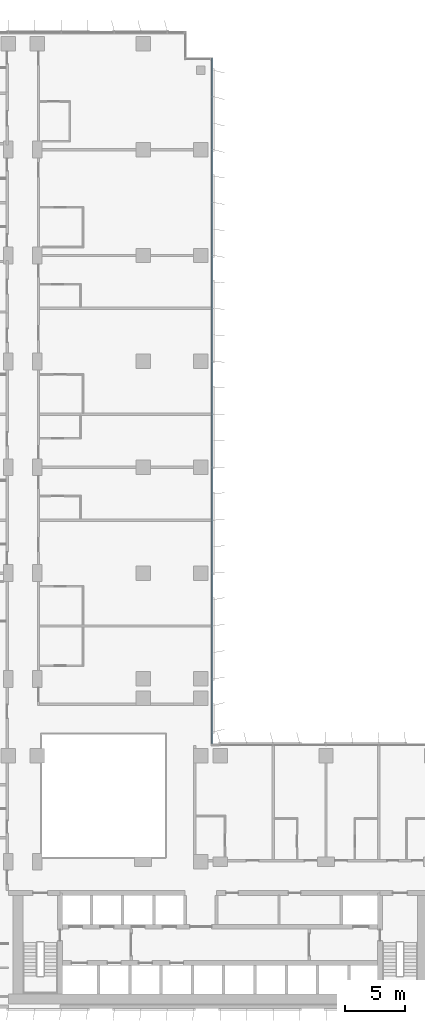
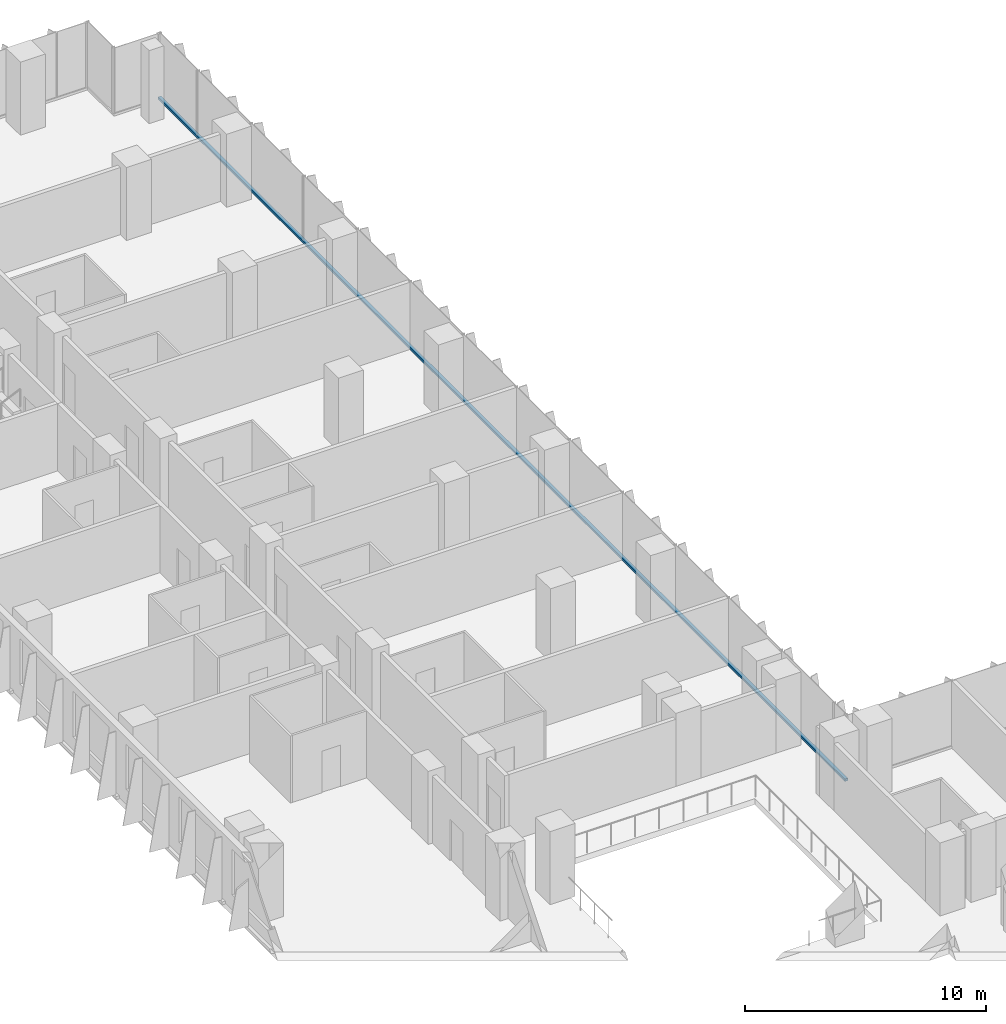
# One storey, part 6 of 22: 1 member, 1 element without a shape of its own.
"""IFC4 building model written with IfcOpenShell, lengths in metres."""

import ifcopenshell
import ifcopenshell.guid

model = None  # the IFC model being written
_history = None  # IfcOwnerHistory: only IFC2X3 demands one
_inside = {}  # id of a spatial element -> (the spatial element, [elements in it])
_under = {}  # id of a project, library or spatial element -> (it, [spatial elements below it])
_declared = {}  # id of a project -> (the project, [libraries it declares])
_typed = {}  # id of a type object -> (the type object, [elements of that type])
_made_of = {}  # id of a material, layer set ... -> (it, [elements and type objects made of it])


def new_model(schema):
    """Start an empty IFC model of exactly this schema.

    Asked for "IFC4X3", IfcOpenShell would pick the latest addendum, in which some entities
    have other attributes; the version numbers below select the first issue.
    IFC2X3 requires an IfcOwnerHistory on every rooted entity: one is made here for all.
    """
    global model, _history
    if schema == "IFC4X3":
        model = ifcopenshell.file(schema_version=(4, 3, 0, 0))
    else:
        model = ifcopenshell.file(schema=schema)
    _inside.clear()
    _under.clear()
    _declared.clear()
    _typed.clear()
    _made_of.clear()
    _history = None
    if model.schema == "IFC2X3":
        org = make("IfcOrganization", Name="unknown")
        user = make(
            "IfcPersonAndOrganization",
            ThePerson=make("IfcPerson", FamilyName="unknown"),
            TheOrganization=org,
        )
        app = make(
            "IfcApplication",
            ApplicationDeveloper=org,
            Version="unknown",
            ApplicationFullName="unknown",
            ApplicationIdentifier="unknown",
        )
        _history = make(
            "IfcOwnerHistory",
            OwningUser=user,
            OwningApplication=app,
            ChangeAction="ADDED",
            CreationDate=0,
        )
    return model


def make(cls, **values):
    """One entity of the class cls with the attributes given. An attribute that is None is left unset."""
    return model.create_entity(
        cls, **{name: value for name, value in values.items() if value is not None}
    )


def rooted(cls, **values):
    """An entity with a GlobalId (a new one), such as an element, a storey or a relation."""
    return make(cls, GlobalId=ifcopenshell.guid.new(), OwnerHistory=_history, **values)


def si_unit(unit_type, name, prefix=None):
    """IfcSIUnit, for example si_unit("LENGTHUNIT", "METRE", prefix="MILLI")."""
    return make("IfcSIUnit", UnitType=unit_type, Prefix=prefix, Name=name)


def assignment(units):
    """IfcUnitAssignment: the units of a project."""
    return None if units is None else make("IfcUnitAssignment", Units=units)


def point(xyz):
    """IfcCartesianPoint."""
    return None if xyz is None else make("IfcCartesianPoint", Coordinates=xyz)


def direction(xyz):
    """IfcDirection."""
    return None if xyz is None else make("IfcDirection", DirectionRatios=xyz)


def frame(location, z_axis=None, x_axis=None):
    """IfcAxis2Placement3D, a coordinate frame: its origin and axes. An axis left out is left unset."""
    return make(
        "IfcAxis2Placement3D",
        Location=point(location),
        Axis=direction(z_axis),
        RefDirection=direction(x_axis),
    )


def frame_2d(location, x_axis=None):
    """IfcAxis2Placement2D, a coordinate frame in the plane: its origin and x axis."""
    return make(
        "IfcAxis2Placement2D", Location=point(location), RefDirection=direction(x_axis)
    )


def origin():
    """The frame at (0, 0, 0) with its axes left unset."""
    return frame((0.0, 0.0, 0.0))


def origin_2d():
    """The frame at (0, 0) in the plane with its x axis left unset."""
    return frame_2d((0.0, 0.0))


def place(relative_to, where):
    """IfcLocalPlacement: puts the frame where relative to a parent placement (None: the world)."""
    return make(
        "IfcLocalPlacement", PlacementRelTo=relative_to, RelativePlacement=where
    )


def context(
    kind, dimensions, precision=None, world=None, true_north=None, identifier=None
):
    """IfcGeometricRepresentationContext, for example the 3D "Model" context."""
    return make(
        "IfcGeometricRepresentationContext",
        ContextIdentifier=identifier,
        ContextType=kind,
        CoordinateSpaceDimension=dimensions,
        Precision=precision,
        WorldCoordinateSystem=world,
        TrueNorth=true_north,
    )


def subcontext(parent, identifier, kind, view, scale=None):
    """IfcGeometricRepresentationSubContext, for example "Body" below "Model"."""
    return make(
        "IfcGeometricRepresentationSubContext",
        ContextIdentifier=identifier,
        ContextType=kind,
        ParentContext=parent,
        TargetScale=scale,
        TargetView=view,
    )


def project(units=None, contexts=None):
    """IfcProject with its units and contexts."""
    return rooted(
        "IfcProject",
        Name="project",
        RepresentationContexts=contexts,
        UnitsInContext=assignment(units),
    )


def spatial(cls, under=None, at=None, **own):
    """A site, building, storey or space (cls), placed at a placement, below another one or the project."""
    s = rooted(cls, ObjectPlacement=at, **own)
    if under is not None:
        _under.setdefault(under.id(), (under, []))[1].append(s)
    return s


def profile(cls, at=None, kind="AREA", **sizes):
    """A parametric profile (cls). Its sizes go by their IFC names, for example OverallWidth=200.0."""
    return make(cls, ProfileType=kind, Position=at, **sizes)


def rectangle(**sizes):
    """IfcRectangleProfileDef."""
    return profile("IfcRectangleProfileDef", **sizes)


def extrude(swept, where, along, depth):
    """IfcExtrudedAreaSolid: the profile swept, set in the frame where, extruded along a direction by depth."""
    return make(
        "IfcExtrudedAreaSolid",
        SweptArea=swept,
        Position=where,
        ExtrudedDirection=direction(along),
        Depth=depth,
    )


def shape(context_of_items, identifier, shape_type, items):
    """IfcShapeRepresentation: the items that make up one representation, for example the "Body"."""
    return make(
        "IfcShapeRepresentation",
        ContextOfItems=context_of_items,
        RepresentationIdentifier=identifier,
        RepresentationType=shape_type,
        Items=items,
    )


def material(Name=None, Category=None):
    """IfcMaterial."""
    return make("IfcMaterial", Name=Name, Category=Category)


def material_profile(
    of_material, cross_section, Name=None, Category=None, Priority=None
):
    """IfcMaterialProfile: a cross section and its material."""
    return make(
        "IfcMaterialProfile",
        Name=Name,
        Material=of_material,
        Profile=cross_section,
        Priority=Priority,
        Category=Category,
    )


def profile_set(profiles, Name=None, composite=None):
    """IfcMaterialProfileSet."""
    return make(
        "IfcMaterialProfileSet",
        Name=Name,
        MaterialProfiles=profiles,
        CompositeProfile=composite,
    )


def made_of(thing, what):
    """Note that an element or type object is made of a material, layer set ...; save() writes the relation."""
    if what is not None:
        _made_of.setdefault(what.id(), (what, []))[1].append(thing)
    return thing


def type_object(cls, material=None, **own):
    """A type object (cls), such as IfcWallType, which elements share."""
    return made_of(rooted(cls, **own), material)


def element(
    cls,
    number,
    at=None,
    inside=None,
    cuts=None,
    type_object=None,
    material=None,
    context=None,
    identifier="Body",
    shape_type=None,
    held_by="IfcProductDefinitionShape",
    body=None,
    shapes=None,
    **own,
):
    """One element of the class cls, such as IfcWall. Its Tag is "e" and its number.

    at: its placement. inside: the storey or other place that contains it. cuts: it is an
    opening in that element (IfcRelVoidsElement). A single representation is given by context,
    identifier, shape_type and body (its items); several are given by shapes. held_by: the class
    of the entity that holds the representations. save() writes the other relations.
    """
    e = rooted(cls, Tag="e%d" % number, ObjectPlacement=at, **own)
    if body is not None:
        shapes = [shape(context, identifier, shape_type, body)]
    if shapes is not None:
        e.Representation = make(held_by, Representations=shapes)
    if inside is not None:
        _inside.setdefault(inside.id(), (inside, []))[1].append(e)
    if cuts is not None:
        rooted(
            "IfcRelVoidsElement", RelatingBuildingElement=cuts, RelatedOpeningElement=e
        )
    if type_object is not None:
        _typed.setdefault(type_object.id(), (type_object, []))[1].append(e)
    return made_of(e, material)


def aggregate(whole, parts):
    """IfcRelAggregates: a whole, such as a stair, and the parts it consists of."""
    return rooted("IfcRelAggregates", RelatingObject=whole, RelatedObjects=parts)


def save(model, path):
    """Write the relations noted so far, then the file.

    IfcRelAggregates (storeys below a building ...), IfcRelContainedInSpatialStructure (elements
    in a storey), IfcRelDefinesByType, IfcRelAssociatesMaterial and IfcRelDeclares: one each for
    every whole, place, type object, material and project.
    """
    for whole, parts in _under.values():
        aggregate(whole, parts)
    for where, things in _inside.values():
        rooted(
            "IfcRelContainedInSpatialStructure",
            RelatedElements=things,
            RelatingStructure=where,
        )
    for kind, things in _typed.values():
        rooted("IfcRelDefinesByType", RelatedObjects=things, RelatingType=kind)
    for what, things in _made_of.values():
        rooted("IfcRelAssociatesMaterial", RelatedObjects=things, RelatingMaterial=what)
    for by, libraries in _declared.values():
        rooted("IfcRelDeclares", RelatingContext=by, RelatedDefinitions=libraries)
    model.write(path)


model = new_model("IFC4")

# Units and contexts
model_context = context("Model", 3, precision=1e-05, world=origin(), true_north=direction((0.0, 1.0)))
body_context = subcontext(model_context, "Body", "Model", "MODEL_VIEW")
ifc_project = project(units=[si_unit("LENGTHUNIT", "METRE"), si_unit("AREAUNIT", "SQUARE_METRE"), si_unit("VOLUMEUNIT", "CUBIC_METRE"), si_unit("PLANEANGLEUNIT", "RADIAN"), si_unit("MASSUNIT", "GRAM", prefix="KILO")], contexts=[model_context])

# Site, building, storey
site_placement = place(None, origin())
site = spatial("IfcSite", under=ifc_project, at=site_placement, CompositionType="ELEMENT")
building_placement = place(site_placement, origin())
building = spatial("IfcBuilding", under=site, at=building_placement, Name="Kemantara Hotel Tower", CompositionType="ELEMENT")
storey_placement = place(building_placement, frame((0.0, 0.0, 107.39990234375)))
storey = spatial("IfcBuildingStorey", under=building, at=storey_placement, Name="L25", CompositionType="ELEMENT", Elevation=107.39990234375)

# Curtain wall, member
ifc_material_1 = material(Name="Low-E tinted double insulated glass 36 mm", Category="glass")
curtain_wall_type = type_object("IfcCurtainWallType", Name="TOWER CURTAIN WALL, FRONT FACES", PredefinedType="USERDEFINED", material=ifc_material_1)
curtain_wall_placement = place(storey_placement, origin())
curtain_wall = element("IfcCurtainWall", 1, at=curtain_wall_placement, inside=storey, type_object=curtain_wall_type, Name="CW4 L25 T2-R14-1", ObjectType="TOWER CURTAIN WALL, FRONT FACES", PredefinedType="USERDEFINED")
ifc_material_2 = material(Name="Aluminium 6063-T6 bronze anodised", Category="aluminium")
ifc_material_profile = material_profile(ifc_material_2, rectangle(XDim=0.14990234375, YDim=0.1201171875, at=origin_2d()), Name="TOWER CURTAIN WALL, FRONT FACES TRANSOM")
ifc_profile_set = profile_set([ifc_material_profile], Name="Aluminium 6063-T6 bronze anodised")
member_type = type_object("IfcMemberType", Name="TOWER CURTAIN WALL, FRONT FACES TRANSOM", PredefinedType="USERDEFINED", material=ifc_profile_set)
member_placement = place(storey_placement, frame((26.72509765625, 22.0, 0.06005859375), z_axis=(0.0, 1.0, 0.0), x_axis=(-1.0, 0.0, 0.0)))
member = element("IfcMember", 2, at=member_placement, type_object=member_type, Name="CW4 sill transom T2-R14-1", ObjectType="TRANSOM", PredefinedType="USERDEFINED", context=body_context, shape_type="SweptSolid", body=[
    extrude(rectangle(XDim=0.14990234375, YDim=0.1201171875, at=origin_2d()), origin(), (0.0, 0.0, 1.0), 57.0),
])
aggregate(curtain_wall, [member])

save(model, "model.ifc")
